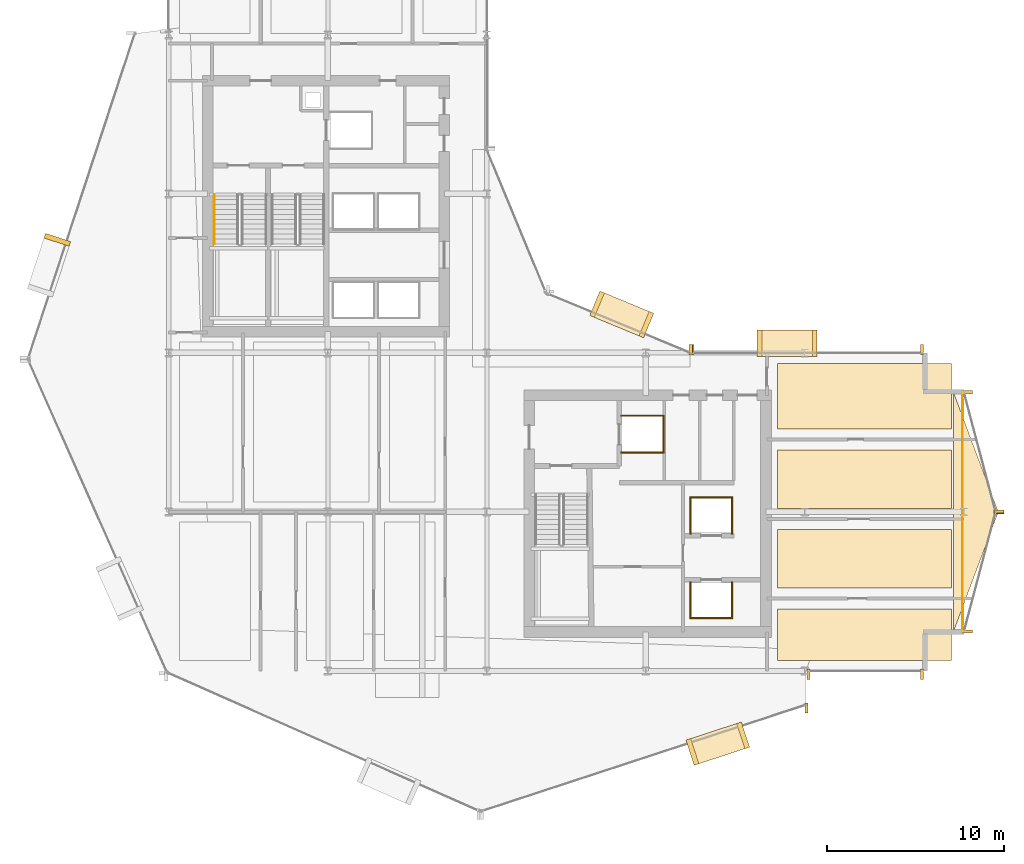
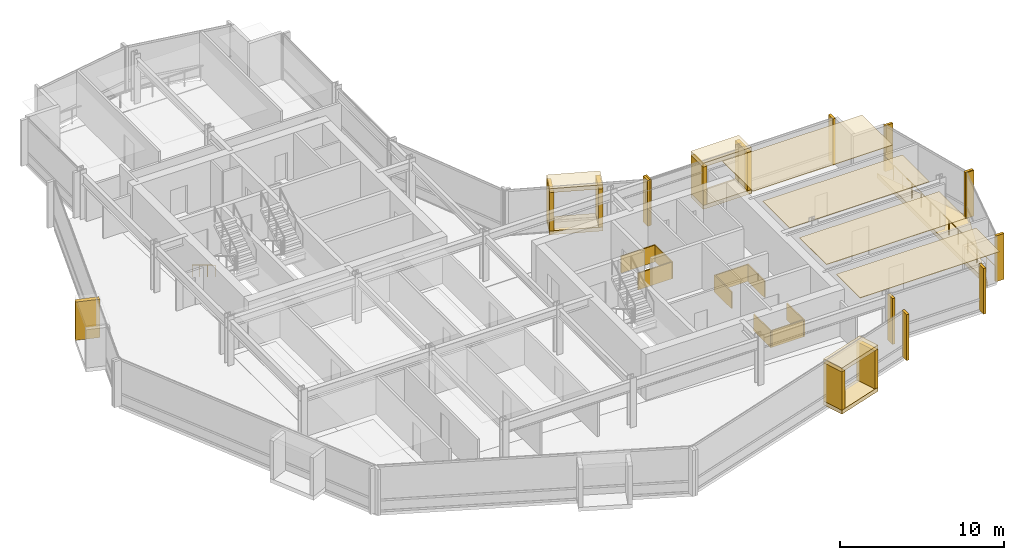
# One storey, part 28 of 29: 37 coverings, 2 railings.
"""IFC4 building model written with IfcOpenShell, lengths in metres."""

from ifc_helpers import new_model, si_unit, direction, frame, origin, origin_2d, place, context, subcontext, project, spatial, polyline, rectangle, circle, outline, extrude, material, layer, layer_set, type_object, element, save


model = new_model("IFC4")

# Units and contexts
model_context = context("Model", 3, precision=1e-05, world=origin(), true_north=direction((0.0, 1.0)))
body_context = subcontext(model_context, "Body", "Model", "MODEL_VIEW")
ifc_project = project(units=[si_unit("LENGTHUNIT", "METRE"), si_unit("AREAUNIT", "SQUARE_METRE"), si_unit("VOLUMEUNIT", "CUBIC_METRE"), si_unit("PLANEANGLEUNIT", "RADIAN"), si_unit("MASSUNIT", "GRAM", prefix="KILO")], contexts=[model_context])

# Site, building, storey
site_placement = place(None, origin())
site = spatial("IfcSite", under=ifc_project, at=site_placement, CompositionType="ELEMENT")
building_placement = place(site_placement, origin())
building = spatial("IfcBuilding", under=site, at=building_placement, Name="Solvaryn Broadcast Tower", CompositionType="ELEMENT")
storey_placement = place(building_placement, frame((0.0, 0.0, 124.800048828125)))
storey = spatial("IfcBuildingStorey", under=building, at=storey_placement, Name="L30", CompositionType="ELEMENT", Elevation=124.800048828125)

# Coverings
ifc_material_1 = material(Name="Micro-Perforated Acoustic Gypsum Ceiling", Category="concrete")
ifc_layer_1 = layer(ifc_material_1, 0.0400390625)
ifc_layer_set_1 = layer_set([ifc_layer_1], Name="CV-CEIL-ACOUSTIC")
covering_type_1 = type_object("IfcCoveringType", Name="CV-CEIL-ACOUSTIC", PredefinedType="CEILING", material=ifc_layer_set_1)
covering_1_placement = place(storey_placement, frame((0.0, 0.0, 3.3798828125)))
element("IfcCovering", 1, at=covering_1_placement, inside=storey, type_object=covering_type_1, Name="L30 Room Acoustic Ceiling 10", PredefinedType="CEILING", context=body_context, shape_type="SweptSolid", body=[
    extrude(outline(polyline([(43.449951171875, 9.60009765625), (53.300048828125, 9.60009765625), (53.300048828125, 12.5), (43.449951171875, 12.5), (43.449951171875, 9.60009765625)])), origin(), (0.0, 0.0, 1.0), 0.0400390625),
])
covering_2_placement = place(storey_placement, frame((0.0, 0.0, 3.3798828125)))
element("IfcCovering", 2, at=covering_2_placement, inside=storey, type_object=covering_type_1, Name="L30 Room Acoustic Ceiling 11", PredefinedType="CEILING", context=body_context, shape_type="SweptSolid", body=[
    extrude(outline(polyline([(43.449951171875, 13.699951171875), (53.300048828125, 13.699951171875), (53.300048828125, 17.0), (43.449951171875, 17.0), (43.449951171875, 13.699951171875)])), origin(), (0.0, 0.0, 1.0), 0.0400390625),
])
covering_3_placement = place(storey_placement, frame((0.0, 0.0, 3.3798828125)))
element("IfcCovering", 3, at=covering_3_placement, inside=storey, type_object=covering_type_1, Name="L30 Room Acoustic Ceiling 12", PredefinedType="CEILING", context=body_context, shape_type="SweptSolid", body=[
    extrude(outline(polyline([(43.449951171875, 18.199951171875), (53.300048828125, 18.199951171875), (53.300048828125, 21.5), (43.449951171875, 21.5), (43.449951171875, 18.199951171875)])), origin(), (0.0, 0.0, 1.0), 0.0400390625),
])
covering_4_placement = place(storey_placement, frame((0.0, 0.0, 3.3798828125)))
element("IfcCovering", 4, at=covering_4_placement, inside=storey, type_object=covering_type_1, Name="L30 Room Acoustic Ceiling 13", PredefinedType="CEILING", context=body_context, shape_type="SweptSolid", body=[
    extrude(outline(polyline([(43.449951171875, 22.699951171875), (53.300048828125, 22.699951171875), (53.300048828125, 26.39990234375), (43.449951171875, 26.39990234375), (43.449951171875, 22.699951171875)])), origin(), (0.0, 0.0, 1.0), 0.0400390625),
])
ifc_material_2 = material(Name="Fire-Rated Gypsum Shaftwall Liner", Category="concrete")
ifc_layer_2 = layer(ifc_material_2, 0.080078125)
ifc_layer_set_2 = layer_set([ifc_layer_2], Name="CV-SHAFT-LINER")
covering_type_2 = type_object("IfcCoveringType", Name="CV-SHAFT-LINER", PredefinedType="CLADDING", material=ifc_layer_set_2)
for number, where, z_axis, x_axis, name in (
    (5, (35.800048828125, 23.43994140625, 0.0), (0.0, 0.0, 1.0), (1.0, 0.0, 0.0), "L30 FL2 Hoistway Shaft Liner North"),
    (6, (35.800048828125, 21.360107421875, 0.0), (0.0, 0.0, 1.0), (1.0, 0.0, 0.0), "L30 FL2 Hoistway Shaft Liner South"),
):
    element("IfcCovering", number, at=place(storey_placement, frame(where, z_axis=z_axis, x_axis=x_axis)), inside=storey, type_object=covering_type_2, Name=name, PredefinedType="CLADDING", context=body_context, shape_type="SweptSolid", body=[
        extrude(rectangle(XDim=2.4599609375, YDim=0.080078125, at=origin_2d()), origin(), (0.0, 0.0, 1.0), 1.25),
    ])
covering_5_placement = place(storey_placement, frame((36.989990234375, 22.39990234375, 0.0), z_axis=(0.0, 0.0, 1.0), x_axis=(1.0, 0.0, 0.0)))
element("IfcCovering", 7, at=covering_5_placement, inside=storey, type_object=covering_type_2, Name="L30 FL2 Hoistway Shaft Liner East", PredefinedType="CLADDING", context=body_context, shape_type="SweptSolid", body=[
    extrude(rectangle(XDim=0.080078125, YDim=2.159912109375, at=origin_2d()), origin(), (0.0, 0.0, 1.0), 1.25),
])
covering_6_placement = place(storey_placement, frame((39.699951171875, 11.985107421875, 0.0), z_axis=(0.0, 0.0, 1.0), x_axis=(1.0, 0.0, 0.0)))
element("IfcCovering", 8, at=covering_6_placement, inside=storey, type_object=covering_type_2, Name="L30 PM1 Hoistway Shaft Liner South", PredefinedType="CLADDING", context=body_context, shape_type="SweptSolid", body=[
    extrude(rectangle(XDim=2.409912109375, YDim=0.080078125, at=origin_2d()), origin(), (0.0, 0.0, 1.0), 1.25),
])
for number, where, z_axis, x_axis, name in (
    (9, (40.864990234375, 13.0, 0.0), (0.0, 0.0, 1.0), (1.0, 0.0, 0.0), "L30 PM1 Hoistway Shaft Liner East"),
    (10, (38.534912109375, 13.0, 0.0), (0.0, 0.0, 1.0), (1.0, 0.0, 0.0), "L30 PM1 Hoistway Shaft Liner West"),
):
    element("IfcCovering", number, at=place(storey_placement, frame(where, z_axis=z_axis, x_axis=x_axis)), inside=storey, type_object=covering_type_2, Name=name, PredefinedType="CLADDING", context=body_context, shape_type="SweptSolid", body=[
        extrude(rectangle(XDim=0.080078125, YDim=2.110107421875, at=origin_2d()), origin(), (0.0, 0.0, 1.0), 1.25),
    ])
covering_7_placement = place(storey_placement, frame((39.699951171875, 18.81494140625, 0.0), z_axis=(0.0, 0.0, 1.0), x_axis=(1.0, 0.0, 0.0)))
element("IfcCovering", 11, at=covering_7_placement, inside=storey, type_object=covering_type_2, Name="L30 PM2 Hoistway Shaft Liner North", PredefinedType="CLADDING", context=body_context, shape_type="SweptSolid", body=[
    extrude(rectangle(XDim=2.409912109375, YDim=0.080078125, at=origin_2d()), origin(), (0.0, 0.0, 1.0), 1.25),
])
for number, where, z_axis, x_axis, name in (
    (12, (40.864990234375, 17.800048828125, 0.0), (0.0, 0.0, 1.0), (1.0, 0.0, 0.0), "L30 PM2 Hoistway Shaft Liner East"),
    (13, (38.534912109375, 17.800048828125, 0.0), (0.0, 0.0, 1.0), (1.0, 0.0, 0.0), "L30 PM2 Hoistway Shaft Liner West"),
):
    element("IfcCovering", number, at=place(storey_placement, frame(where, z_axis=z_axis, x_axis=x_axis)), inside=storey, type_object=covering_type_2, Name=name, PredefinedType="CLADDING", context=body_context, shape_type="SweptSolid", body=[
        extrude(rectangle(XDim=0.080078125, YDim=2.110107421875, at=origin_2d()), origin(), (0.0, 0.0, 1.0), 1.25),
    ])
ifc_material_3 = material(Name="Glazed Architectural Terracotta Rainscreen Cladding", Category="masonry")
ifc_layer_3 = layer(ifc_material_3, 0.280029296875)
ifc_layer_set_3 = layer_set([ifc_layer_3], Name="CV-TC-CLAD")
covering_type_3 = type_object("IfcCoveringType", Name="CV-TC-CLAD", PredefinedType="CLADDING", material=ifc_layer_set_3)
covering_8_placement = place(storey_placement, frame((2.693603515625, 33.396728515625, 0.27978515625), z_axis=(0.0, 0.0, 1.0), x_axis=(-0.311671636848, -0.950189870912, 0.0)))
element("IfcCovering", 14, at=covering_8_placement, inside=storey, type_object=covering_type_3, Name="L30 Projecting Stone Window Box Cheek 1-1", PredefinedType="CLADDING", context=body_context, shape_type="SweptSolid", body=[
    extrude(rectangle(XDim=0.280029296875, YDim=1.5, at=origin_2d()), origin(), (0.0, 0.0, 1.0), 2.860107421875),
])
for number, where, z_axis, x_axis, name in (
    (15, (40.071044921875, 4.883056640625, 3.1298828125), (0.0, 0.0, 1.0), (0.950189870912, 0.311671636848, 0.0), "L30 Projecting Stone Window Box Hood 4"),
    (16, (40.071044921875, 4.883056640625, -0.01025390625), (0.0, 0.0, 1.0), (0.950189870912, 0.311671636848, 0.0), "L30 Projecting Stone Window Box Sill 4"),
):
    element("IfcCovering", number, at=place(storey_placement, frame(where, z_axis=z_axis, x_axis=x_axis)), inside=storey, type_object=covering_type_3, Name=name, PredefinedType="CLADDING", context=body_context, shape_type="SweptSolid", body=[
        extrude(rectangle(XDim=3.300048828125, YDim=1.5, at=origin_2d()), origin(), (0.0, 0.0, 1.0), 0.300048828125),
    ])
for number, where, z_axis, x_axis, name in (
    (17, (38.63623046875, 4.412353515625, 0.27978515625), (0.0, 0.0, 1.0), (0.950189870912, 0.311671636848, 0.0), "L30 Projecting Stone Window Box Cheek 4-1"),
    (18, (41.505859375, 5.353515625, 0.27978515625), (0.0, 0.0, 1.0), (0.950189870912, 0.311671636848, 0.0), "L30 Projecting Stone Window Box Cheek 4-2"),
):
    element("IfcCovering", number, at=place(storey_placement, frame(where, z_axis=z_axis, x_axis=x_axis)), inside=storey, type_object=covering_type_3, Name=name, PredefinedType="CLADDING", context=body_context, shape_type="SweptSolid", body=[
        extrude(rectangle(XDim=0.280029296875, YDim=1.5, at=origin_2d()), origin(), (0.0, 0.0, 1.0), 2.860107421875),
    ])
for number, where, z_axis, x_axis, name in (
    (19, (34.636962890625, 29.174072265625, 3.1298828125), (0.0, 0.0, 1.0), (-0.923879532511, 0.382683432365, 0.0), "L30 Projecting Stone Window Box Hood 5"),
    (20, (34.636962890625, 29.174072265625, -0.01025390625), (0.0, 0.0, 1.0), (-0.923879532511, 0.382683432365, 0.0), "L30 Projecting Stone Window Box Sill 5"),
):
    element("IfcCovering", number, at=place(storey_placement, frame(where, z_axis=z_axis, x_axis=x_axis)), inside=storey, type_object=covering_type_3, Name=name, PredefinedType="CLADDING", context=body_context, shape_type="SweptSolid", body=[
        extrude(rectangle(XDim=3.300048828125, YDim=1.5, at=origin_2d()), origin(), (0.0, 0.0, 1.0), 0.300048828125),
    ])
for number, where, z_axis, x_axis, name in (
    (21, (36.031982421875, 28.59619140625, 0.27978515625), (0.0, 0.0, 1.0), (-0.923879532511, 0.382683432365, 0.0), "L30 Projecting Stone Window Box Cheek 5-1"),
    (22, (33.241943359375, 29.751953125, 0.27978515625), (0.0, 0.0, 1.0), (-0.923879532511, 0.382683432365, 0.0), "L30 Projecting Stone Window Box Cheek 5-2"),
):
    element("IfcCovering", number, at=place(storey_placement, frame(where, z_axis=z_axis, x_axis=x_axis)), inside=storey, type_object=covering_type_3, Name=name, PredefinedType="CLADDING", context=body_context, shape_type="SweptSolid", body=[
        extrude(rectangle(XDim=0.280029296875, YDim=1.5, at=origin_2d()), origin(), (0.0, 0.0, 1.0), 2.860107421875),
    ])
for number, where, z_axis, x_axis, name in (
    (23, (44.0, 27.530029296875, 3.1298828125), (0.0, 0.0, 1.0), (1.0, 0.0, 0.0), "L30 Projecting Stone Window Box Hood 6"),
    (24, (44.0, 27.530029296875, -0.01025390625), (0.0, 0.0, 1.0), (1.0, 0.0, 0.0), "L30 Projecting Stone Window Box Sill 6"),
):
    element("IfcCovering", number, at=place(storey_placement, frame(where, z_axis=z_axis, x_axis=x_axis)), inside=storey, type_object=covering_type_3, Name=name, PredefinedType="CLADDING", context=body_context, shape_type="SweptSolid", body=[
        extrude(rectangle(XDim=3.39990234375, YDim=1.5, at=origin_2d()), origin(), (0.0, 0.0, 1.0), 0.300048828125),
    ])
for number, where, z_axis, x_axis, name in (
    (25, (42.43994140625, 27.530029296875, 0.27978515625), (0.0, 0.0, 1.0), (1.0, 0.0, 0.0), "L30 Projecting Stone Window Box Cheek 6-1"),
    (26, (45.56005859375, 27.530029296875, 0.27978515625), (0.0, 0.0, 1.0), (1.0, 0.0, 0.0), "L30 Projecting Stone Window Box Cheek 6-2"),
):
    element("IfcCovering", number, at=place(storey_placement, frame(where, z_axis=z_axis, x_axis=x_axis)), inside=storey, type_object=covering_type_3, Name=name, PredefinedType="CLADDING", context=body_context, shape_type="SweptSolid", body=[
        extrude(rectangle(XDim=0.280029296875, YDim=1.5, at=origin_2d()), origin(), (0.0, 0.0, 1.0), 2.860107421875),
    ])
ifc_material_4 = material(Name="Extruded Architectural Terracotta Fin", Category="masonry")
ifc_layer_4 = layer(ifc_material_4, 0.179931640625)
ifc_layer_set_4 = layer_set([ifc_layer_4], Name="CV-TC-FIN")
covering_type_4 = type_object("IfcCoveringType", Name="CV-TC-FIN", PredefinedType="USERDEFINED", material=ifc_layer_set_4)
for number, where, z_axis, x_axis, name in (
    (27, (45.0947265625, 6.898681640625, 0.0), (0.0, 0.0, 1.0), (1.0, 0.0, 0.0), "L30 Terracotta Vertical Fin FIN-L30-DR4-M01"),
    (28, (38.541259765625, 27.177978515625, 0.0), (0.0, 0.0, 1.0), (1.0, 0.0, 0.0), "L30 Terracotta Vertical Fin FIN-L30-CN1-M00"),
    (29, (45.197021484375, 8.8125, 0.0), (0.0, 0.0, 1.0), (1.0, 0.0, 0.0), "L30 Terracotta Vertical Fin FIN-L30-S2-M00"),
    (30, (51.6201171875, 8.8125, 0.0), (0.0, 0.0, 1.0), (1.0, 0.0, 0.0), "L30 Terracotta Vertical Fin FIN-L30-S2-M01"),
):
    element("IfcCovering", number, at=place(storey_placement, frame(where, z_axis=z_axis, x_axis=x_axis)), inside=storey, type_object=covering_type_4, Name=name, ObjectType="FIN", PredefinedType="USERDEFINED", context=body_context, shape_type="SweptSolid", body=[
        extrude(rectangle(XDim=0.179931640625, YDim=0.580078125, at=origin_2d()), origin(), (0.0, 0.0, 1.0), 3.419921875),
    ])
for number, where, z_axis, x_axis, name in (
    (31, (54.1953125, 24.77099609375, 0.0), (0.0, 0.0, 1.0), (1.0, 0.0, 0.0), "L30 Terracotta Vertical Fin FIN-L30-ET1-M00"),
    (32, (55.979736328125, 18.029052734375, 0.0), (0.0, 0.0, 1.0), (1.0, 0.0, 0.0), "L30 Terracotta Vertical Fin FIN-L30-ET1-M01"),
    (33, (55.979736328125, 17.970947265625, 0.0), (0.0, 0.0, 1.0), (1.0, 0.0, 0.0), "L30 Terracotta Vertical Fin FIN-L30-ET2-M00"),
    (34, (54.1953125, 11.22900390625, 0.0), (0.0, 0.0, 1.0), (1.0, 0.0, 0.0), "L30 Terracotta Vertical Fin FIN-L30-ET2-M01"),
):
    element("IfcCovering", number, at=place(storey_placement, frame(where, z_axis=z_axis, x_axis=x_axis)), inside=storey, type_object=covering_type_4, Name=name, ObjectType="FIN", PredefinedType="USERDEFINED", context=body_context, shape_type="SweptSolid", body=[
        extrude(rectangle(XDim=0.580078125, YDim=0.179931640625, at=origin_2d()), origin(), (0.0, 0.0, 1.0), 3.419921875),
    ])
for number, where, z_axis, x_axis, name in (
    (35, (38.6298828125, 27.1875, 0.0), (0.0, 0.0, 1.0), (1.0, 0.0, 0.0), "L30 Terracotta Vertical Fin FIN-L30-IH-M00"),
    (36, (51.6201171875, 27.1875, 0.0), (0.0, 0.0, 1.0), (1.0, 0.0, 0.0), "L30 Terracotta Vertical Fin FIN-L30-IH-M01"),
):
    element("IfcCovering", number, at=place(storey_placement, frame(where, z_axis=z_axis, x_axis=x_axis)), inside=storey, type_object=covering_type_4, Name=name, ObjectType="FIN", PredefinedType="USERDEFINED", context=body_context, shape_type="SweptSolid", body=[
        extrude(rectangle(XDim=0.179931640625, YDim=0.580078125, at=origin_2d()), origin(), (0.0, 0.0, 1.0), 3.419921875),
    ])
ifc_material_5 = material(Name="Sculpted Architectural Terracotta Wave Fascia", Category="masonry")
ifc_layer_5 = layer(ifc_material_5, 0.340087890625)
ifc_layer_set_5 = layer_set([ifc_layer_5], Name="CV-WAVE-TRAY")
covering_type_5 = type_object("IfcCoveringType", Name="CV-WAVE-TRAY", PredefinedType="CLADDING", material=ifc_layer_set_5)
covering_9_placement = place(storey_placement, frame((0.0, 0.0, -0.300048828125)))
element("IfcCovering", 37, at=covering_9_placement, inside=storey, type_object=covering_type_5, Name="L30 East Curved Wing Deck", PredefinedType="CLADDING", context=body_context, shape_type="SweptSolid", body=[
    extrude(outline(polyline([(53.39990234375, 11.199951171875), (55.949951171875, 18.0), (53.39990234375, 24.800048828125), (53.39990234375, 11.199951171875)])), origin(), (0.0, 0.0, 1.0), 0.330078125),
])

# Railings
ifc_material_6 = material(Name="Brushed Stainless Steel Tubular Handrail", Category="steel")
railing_type_1 = type_object("IfcRailingType", Name="RL-STAIR-HANDRAIL", PredefinedType="HANDRAIL", material=ifc_material_6)
railing_1_placement = place(storey_placement, frame((11.570068359375, 35.9599609375, 0.168212890625)))
element("IfcRailing", 38, at=railing_1_placement, inside=storey, type_object=railing_type_1, Name="L30 ST1 stair handrail 1", PredefinedType="HANDRAIL", context=body_context, shape_type="SweptSolid", body=[
    extrude(circle(Radius=0.02392578125, at=origin_2d()), frame((0.0, 0.0, 0.8759765625), z_axis=(0.0, -0.857275202839, 0.514858452973), x_axis=(1.0, 0.0, 0.0)), (0.0, 0.0, 1.0), 3.26611328125),
    extrude(circle(Radius=0.02099609375, at=origin_2d()), origin(), (0.0, 0.0, 1.0), 0.851806640625),
    extrude(circle(Radius=0.02099609375, at=origin_2d()), frame((0.0, -0.933349609375, 0.560546875)), (0.0, 0.0, 1.0), 0.851806640625),
    extrude(circle(Radius=0.02099609375, at=origin_2d()), frame((0.0, -1.86669921875, 1.12109375)), (0.0, 0.0, 1.0), 0.851806640625),
    extrude(circle(Radius=0.02099609375, at=origin_2d()), frame((0.0, -2.800048828125, 1.681640625)), (0.0, 0.0, 1.0), 0.851806640625),
])
ifc_material_7 = material(Name="Stainless Steel and Laminated Glass Guard", Category="steel")
railing_type_2 = type_object("IfcRailingType", Name="RL-TER-1150", PredefinedType="BALUSTRADE", material=ifc_material_7)
railing_2_placement = place(storey_placement, frame((53.919921875, 11.199951171875, 0.0)))
element("IfcRailing", 39, at=railing_2_placement, inside=storey, type_object=railing_type_2, Name="L30 East Wing Spandrel Edge Guard", PredefinedType="BALUSTRADE", context=body_context, shape_type="SweptSolid", body=[
    extrude(circle(Radius=0.02392578125, at=origin_2d()), frame((0.0, 0.0, 1.1259765625), z_axis=(0.0, 1.0, 0.0), x_axis=(-1.0, 0.0, 0.0)), (0.0, 0.0, 1.0), 13.60009765625),
    extrude(circle(Radius=0.02099609375, at=origin_2d()), origin(), (0.0, 0.0, 1.0), 1.101806640625),
    extrude(circle(Radius=0.02099609375, at=origin_2d()), frame((0.0, 1.13330078125, 0.0)), (0.0, 0.0, 1.0), 1.101806640625),
    extrude(circle(Radius=0.02099609375, at=origin_2d()), frame((0.0, 2.2666015625, 0.0)), (0.0, 0.0, 1.0), 1.101806640625),
    extrude(circle(Radius=0.02099609375, at=origin_2d()), frame((0.0, 3.39990234375, 0.0)), (0.0, 0.0, 1.0), 1.101806640625),
    extrude(circle(Radius=0.02099609375, at=origin_2d()), frame((0.0, 4.533447265625, 0.0)), (0.0, 0.0, 1.0), 1.101806640625),
    extrude(circle(Radius=0.02099609375, at=origin_2d()), frame((0.0, 5.666748046875, 0.0)), (0.0, 0.0, 1.0), 1.101806640625),
    extrude(circle(Radius=0.02099609375, at=origin_2d()), frame((0.0, 6.800048828125, 0.0)), (0.0, 0.0, 1.0), 1.101806640625),
    extrude(circle(Radius=0.02099609375, at=origin_2d()), frame((0.0, 7.933349609375, 0.0)), (0.0, 0.0, 1.0), 1.101806640625),
    extrude(circle(Radius=0.02099609375, at=origin_2d()), frame((0.0, 9.066650390625, 0.0)), (0.0, 0.0, 1.0), 1.101806640625),
    extrude(circle(Radius=0.02099609375, at=origin_2d()), frame((0.0, 10.2001953125, 0.0)), (0.0, 0.0, 1.0), 1.101806640625),
    extrude(circle(Radius=0.02099609375, at=origin_2d()), frame((0.0, 11.33349609375, 0.0)), (0.0, 0.0, 1.0), 1.101806640625),
    extrude(circle(Radius=0.02099609375, at=origin_2d()), frame((0.0, 12.466796875, 0.0)), (0.0, 0.0, 1.0), 1.101806640625),
    extrude(circle(Radius=0.02099609375, at=origin_2d()), frame((0.0, 13.60009765625, 0.0)), (0.0, 0.0, 1.0), 1.101806640625),
])

save(model, "model.ifc")
